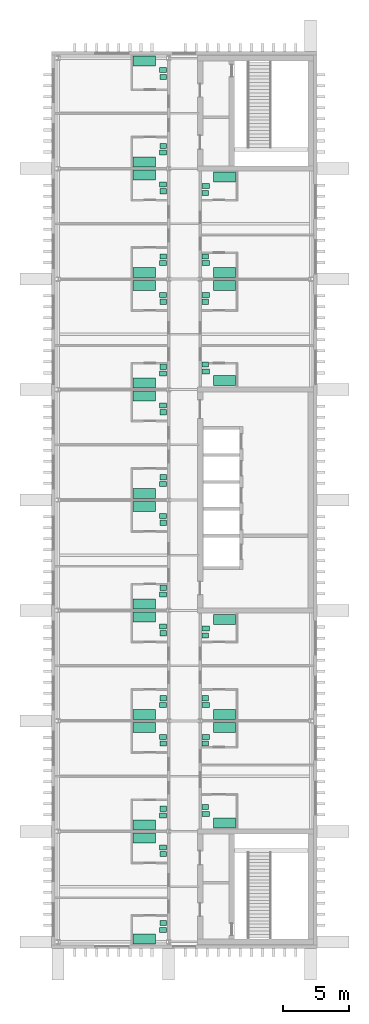
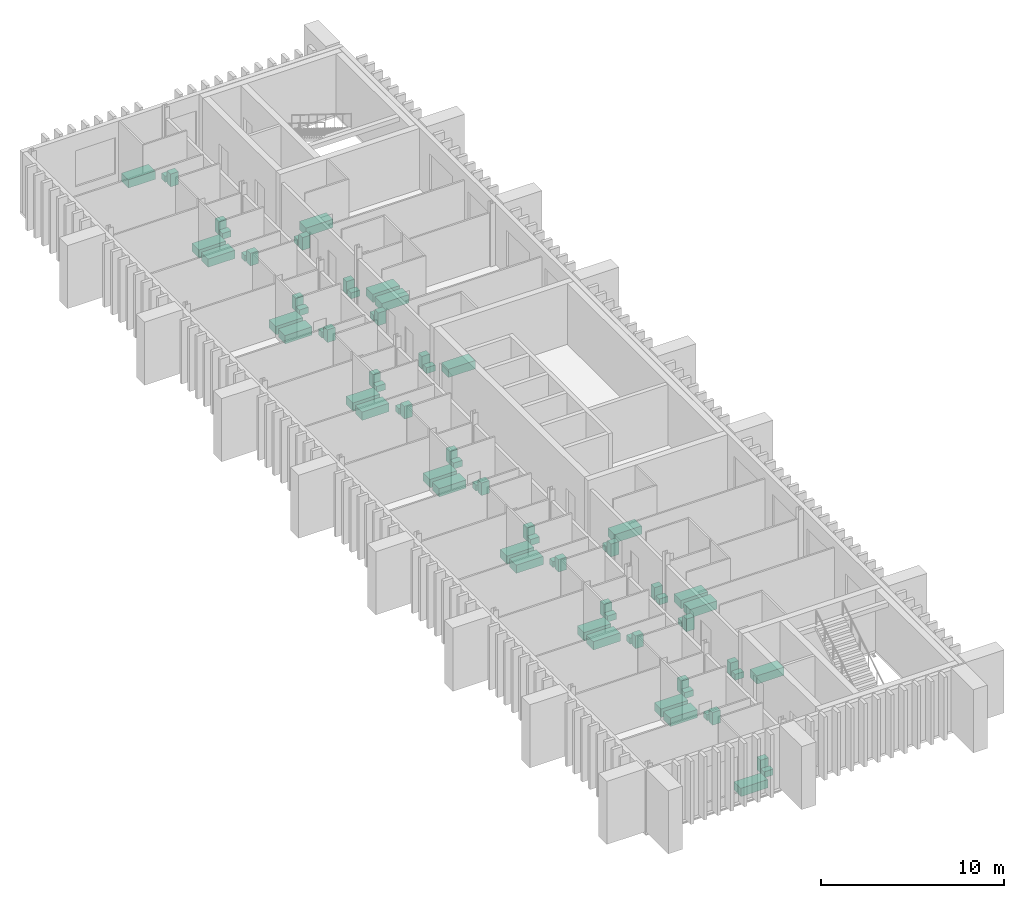
# One storey, part 11 of 11: 72 sanitary terminals.
"""IFC4 building model written with IfcOpenShell, lengths in metres."""

from ifc_helpers import new_model, si_unit, direction, frame, origin, origin_2d, place, context, subcontext, project, spatial, rectangle, extrude, material, type_object, element, save


model = new_model("IFC4")

# Units and contexts
model_context = context("Model", 3, precision=1e-05, world=origin(), true_north=direction((0.0, 1.0)))
body_context = subcontext(model_context, "Body", "Model", "MODEL_VIEW")
ifc_project = project(units=[si_unit("LENGTHUNIT", "METRE"), si_unit("AREAUNIT", "SQUARE_METRE"), si_unit("VOLUMEUNIT", "CUBIC_METRE"), si_unit("PLANEANGLEUNIT", "RADIAN"), si_unit("MASSUNIT", "GRAM", prefix="KILO")], contexts=[model_context])

# Site, building, storey
site_placement = place(None, origin())
site = spatial("IfcSite", under=ifc_project, at=site_placement, CompositionType="ELEMENT")
building_placement = place(site_placement, origin())
building = spatial("IfcBuilding", under=site, at=building_placement, Name="Cresset Court Congress Hotel", CompositionType="ELEMENT")
storey_placement = place(building_placement, frame((0.0, 0.0, 60.60009765625)))
storey = spatial("IfcBuildingStorey", under=building, at=storey_placement, Name="L14", CompositionType="ELEMENT", Elevation=60.60009765625)

# Sanitary terminals
ifc_material_1 = material(Name="Acrylic")
sanitary_terminal_type_1 = type_object("IfcSanitaryTerminalType", Name="Bath 1700x750", PredefinedType="BATH", material=ifc_material_1)
for number, where, z_axis, x_axis, name in (
    (1, (163.75, 0.205078125, 0.0), (0.0, 0.0, 1.0), (1.0, 0.0, 0.0), "Bath 1700x750 1401"),
    (2, (163.75, 7.89990234375, 0.0), (0.0, 0.0, 1.0), (1.0, 0.0, 0.0), "Bath 1700x750 1402"),
    (3, (163.75, 8.89990234375, 0.0), (0.0, 0.0, 1.0), (1.0, 0.0, 0.0), "Bath 1700x750 1403"),
    (4, (163.75, 16.300048828125, 0.0), (0.0, 0.0, 1.0), (1.0, 0.0, 0.0), "Bath 1700x750 1404"),
    (5, (163.75, 17.300048828125, 0.0), (0.0, 0.0, 1.0), (1.0, 0.0, 0.0), "Bath 1700x750 1405"),
    (6, (163.75, 24.699951171875, 0.0), (0.0, 0.0, 1.0), (1.0, 0.0, 0.0), "Bath 1700x750 1406"),
    (7, (163.75, 25.699951171875, 0.0), (0.0, 0.0, 1.0), (1.0, 0.0, 0.0), "Bath 1700x750 1407"),
    (8, (163.75, 33.10009765625, 0.0), (0.0, 0.0, 1.0), (1.0, 0.0, 0.0), "Bath 1700x750 1408"),
    (9, (163.75, 34.10009765625, 0.0), (0.0, 0.0, 1.0), (1.0, 0.0, 0.0), "Bath 1700x750 1409"),
    (10, (163.75, 41.5, 0.0), (0.0, 0.0, 1.0), (1.0, 0.0, 0.0), "Bath 1700x750 1410"),
    (11, (163.75, 42.5, 0.0), (0.0, 0.0, 1.0), (1.0, 0.0, 0.0), "Bath 1700x750 1411"),
    (12, (163.75, 49.89990234375, 0.0), (0.0, 0.0, 1.0), (1.0, 0.0, 0.0), "Bath 1700x750 1412"),
    (13, (163.75, 50.89990234375, 0.0), (0.0, 0.0, 1.0), (1.0, 0.0, 0.0), "Bath 1700x750 1413"),
    (14, (163.75, 58.300048828125, 0.0), (0.0, 0.0, 1.0), (1.0, 0.0, 0.0), "Bath 1700x750 1414"),
    (15, (163.75, 59.300048828125, 0.0), (0.0, 0.0, 1.0), (1.0, 0.0, 0.0), "Bath 1700x750 1415"),
    (16, (163.75, 66.9951171875, 0.0), (0.0, 0.0, 1.0), (1.0, 0.0, 0.0), "Bath 1700x750 1416"),
    (17, (169.85009765625, 9.02490234375, 0.0), (0.0, 0.0, 1.0), (1.0, 0.0, 0.0), "Bath 1700x750 1417"),
    (18, (169.85009765625, 16.300048828125, 0.0), (0.0, 0.0, 1.0), (1.0, 0.0, 0.0), "Bath 1700x750 1418"),
    (19, (169.85009765625, 17.300048828125, 0.0), (0.0, 0.0, 1.0), (1.0, 0.0, 0.0), "Bath 1700x750 1419"),
    (20, (169.85009765625, 24.52490234375, 0.0), (0.0, 0.0, 1.0), (1.0, 0.0, 0.0), "Bath 1700x750 1420"),
    (21, (169.85009765625, 42.675048828125, 0.0), (0.0, 0.0, 1.0), (1.0, 0.0, 0.0), "Bath 1700x750 1421"),
    (22, (169.85009765625, 49.89990234375, 0.0), (0.0, 0.0, 1.0), (1.0, 0.0, 0.0), "Bath 1700x750 1422"),
    (23, (169.85009765625, 50.89990234375, 0.0), (0.0, 0.0, 1.0), (1.0, 0.0, 0.0), "Bath 1700x750 1423"),
    (24, (169.85009765625, 58.175048828125, 0.0), (0.0, 0.0, 1.0), (1.0, 0.0, 0.0), "Bath 1700x750 1424"),
):
    element("IfcSanitaryTerminal", number, at=place(storey_placement, frame(where, z_axis=z_axis, x_axis=x_axis)), inside=storey, type_object=sanitary_terminal_type_1, Name=name, PredefinedType="BATH", context=body_context, shape_type="SweptSolid", body=[
        extrude(rectangle(XDim=1.699951171875, YDim=0.75, at=origin_2d()), origin(), (0.0, 0.0, 1.0), 0.550048828125),
    ])
ifc_material_2 = material(Name="Vitreous china")
sanitary_terminal_type_2 = type_object("IfcSanitaryTerminalType", Name="Toilet pan 550x380", PredefinedType="TOILETPAN", material=ifc_material_2)
for number, where, z_axis, x_axis, name in (
    (25, (165.175048828125, 0.919921875, 0.0), (0.0, 0.0, 1.0), (1.0, 0.0, 0.0), "Toilet pan 550x380 1401"),
    (26, (165.175048828125, 7.18505859375, 0.0), (0.0, 0.0, 1.0), (1.0, 0.0, 0.0), "Toilet pan 550x380 1402"),
    (27, (165.175048828125, 9.614990234375, 0.0), (0.0, 0.0, 1.0), (1.0, 0.0, 0.0), "Toilet pan 550x380 1403"),
    (28, (165.175048828125, 15.5849609375, 0.0), (0.0, 0.0, 1.0), (1.0, 0.0, 0.0), "Toilet pan 550x380 1404"),
    (29, (165.175048828125, 18.014892578125, 0.0), (0.0, 0.0, 1.0), (1.0, 0.0, 0.0), "Toilet pan 550x380 1405"),
    (30, (165.175048828125, 23.985107421875, 0.0), (0.0, 0.0, 1.0), (1.0, 0.0, 0.0), "Toilet pan 550x380 1406"),
    (31, (165.175048828125, 26.4150390625, 0.0), (0.0, 0.0, 1.0), (1.0, 0.0, 0.0), "Toilet pan 550x380 1407"),
    (32, (165.175048828125, 32.385009765625, 0.0), (0.0, 0.0, 1.0), (1.0, 0.0, 0.0), "Toilet pan 550x380 1408"),
    (33, (165.175048828125, 34.81494140625, 0.0), (0.0, 0.0, 1.0), (1.0, 0.0, 0.0), "Toilet pan 550x380 1409"),
    (34, (165.175048828125, 40.784912109375, 0.0), (0.0, 0.0, 1.0), (1.0, 0.0, 0.0), "Toilet pan 550x380 1410"),
    (35, (165.175048828125, 43.215087890625, 0.0), (0.0, 0.0, 1.0), (1.0, 0.0, 0.0), "Toilet pan 550x380 1411"),
    (36, (165.175048828125, 49.18505859375, 0.0), (0.0, 0.0, 1.0), (1.0, 0.0, 0.0), "Toilet pan 550x380 1412"),
    (37, (165.175048828125, 51.614990234375, 0.0), (0.0, 0.0, 1.0), (1.0, 0.0, 0.0), "Toilet pan 550x380 1413"),
    (38, (165.175048828125, 57.5849609375, 0.0), (0.0, 0.0, 1.0), (1.0, 0.0, 0.0), "Toilet pan 550x380 1414"),
    (39, (165.175048828125, 60.014892578125, 0.0), (0.0, 0.0, 1.0), (1.0, 0.0, 0.0), "Toilet pan 550x380 1415"),
    (40, (165.175048828125, 66.280029296875, 0.0), (0.0, 0.0, 1.0), (1.0, 0.0, 0.0), "Toilet pan 550x380 1416"),
    (41, (168.425048828125, 9.739990234375, 0.0), (0.0, 0.0, 1.0), (1.0, 0.0, 0.0), "Toilet pan 550x380 1417"),
    (42, (168.425048828125, 15.5849609375, 0.0), (0.0, 0.0, 1.0), (1.0, 0.0, 0.0), "Toilet pan 550x380 1418"),
    (43, (168.425048828125, 18.014892578125, 0.0), (0.0, 0.0, 1.0), (1.0, 0.0, 0.0), "Toilet pan 550x380 1419"),
    (44, (168.425048828125, 23.81005859375, 0.0), (0.0, 0.0, 1.0), (1.0, 0.0, 0.0), "Toilet pan 550x380 1420"),
    (45, (168.425048828125, 43.389892578125, 0.0), (0.0, 0.0, 1.0), (1.0, 0.0, 0.0), "Toilet pan 550x380 1421"),
    (46, (168.425048828125, 49.18505859375, 0.0), (0.0, 0.0, 1.0), (1.0, 0.0, 0.0), "Toilet pan 550x380 1422"),
    (47, (168.425048828125, 51.614990234375, 0.0), (0.0, 0.0, 1.0), (1.0, 0.0, 0.0), "Toilet pan 550x380 1423"),
    (48, (168.425048828125, 57.4599609375, 0.0), (0.0, 0.0, 1.0), (1.0, 0.0, 0.0), "Toilet pan 550x380 1424"),
):
    element("IfcSanitaryTerminal", number, at=place(storey_placement, frame(where, z_axis=z_axis, x_axis=x_axis)), inside=storey, type_object=sanitary_terminal_type_2, Name=name, PredefinedType="TOILETPAN", context=body_context, shape_type="SweptSolid", body=[
        extrude(rectangle(XDim=0.550048828125, YDim=0.3798828125, at=origin_2d()), origin(), (0.0, 0.0, 1.0), 0.39990234375),
    ])
ifc_material_3 = material(Name="Vitreous china")
sanitary_terminal_type_3 = type_object("IfcSanitaryTerminalType", Name="Wash basin 500x400", PredefinedType="WASHHANDBASIN", material=ifc_material_3)
for number, where, z_axis, x_axis, name in (
    (49, (165.199951171875, 1.429931640625, -0.000244140625), (0.0, 0.0, 1.0), (1.0, 0.0, 0.0), "Wash basin 500x400 1401"),
    (50, (165.199951171875, 6.675048828125, -0.000244140625), (0.0, 0.0, 1.0), (1.0, 0.0, 0.0), "Wash basin 500x400 1402"),
    (51, (165.199951171875, 10.125, -0.000244140625), (0.0, 0.0, 1.0), (1.0, 0.0, 0.0), "Wash basin 500x400 1403"),
    (52, (165.199951171875, 15.074951171875, -0.000244140625), (0.0, 0.0, 1.0), (1.0, 0.0, 0.0), "Wash basin 500x400 1404"),
    (53, (165.199951171875, 18.52490234375, -0.000244140625), (0.0, 0.0, 1.0), (1.0, 0.0, 0.0), "Wash basin 500x400 1405"),
    (54, (165.199951171875, 23.47509765625, -0.000244140625), (0.0, 0.0, 1.0), (1.0, 0.0, 0.0), "Wash basin 500x400 1406"),
    (55, (165.199951171875, 26.925048828125, -0.000244140625), (0.0, 0.0, 1.0), (1.0, 0.0, 0.0), "Wash basin 500x400 1407"),
    (56, (165.199951171875, 31.875, -0.000244140625), (0.0, 0.0, 1.0), (1.0, 0.0, 0.0), "Wash basin 500x400 1408"),
    (57, (165.199951171875, 35.324951171875, -0.000244140625), (0.0, 0.0, 1.0), (1.0, 0.0, 0.0), "Wash basin 500x400 1409"),
    (58, (165.199951171875, 40.27490234375, -0.000244140625), (0.0, 0.0, 1.0), (1.0, 0.0, 0.0), "Wash basin 500x400 1410"),
    (59, (165.199951171875, 43.72509765625, -0.000244140625), (0.0, 0.0, 1.0), (1.0, 0.0, 0.0), "Wash basin 500x400 1411"),
    (60, (165.199951171875, 48.675048828125, -0.000244140625), (0.0, 0.0, 1.0), (1.0, 0.0, 0.0), "Wash basin 500x400 1412"),
    (61, (165.199951171875, 52.125, -0.000244140625), (0.0, 0.0, 1.0), (1.0, 0.0, 0.0), "Wash basin 500x400 1413"),
    (62, (165.199951171875, 57.074951171875, -0.000244140625), (0.0, 0.0, 1.0), (1.0, 0.0, 0.0), "Wash basin 500x400 1414"),
    (63, (165.199951171875, 60.52490234375, -0.000244140625), (0.0, 0.0, 1.0), (1.0, 0.0, 0.0), "Wash basin 500x400 1415"),
    (64, (165.199951171875, 65.77001953125, -0.000244140625), (0.0, 0.0, 1.0), (1.0, 0.0, 0.0), "Wash basin 500x400 1416"),
    (65, (168.39990234375, 10.25, -0.000244140625), (0.0, 0.0, 1.0), (1.0, 0.0, 0.0), "Wash basin 500x400 1417"),
    (66, (168.39990234375, 15.074951171875, -0.000244140625), (0.0, 0.0, 1.0), (1.0, 0.0, 0.0), "Wash basin 500x400 1418"),
    (67, (168.39990234375, 18.52490234375, -0.000244140625), (0.0, 0.0, 1.0), (1.0, 0.0, 0.0), "Wash basin 500x400 1419"),
    (68, (168.39990234375, 23.300048828125, -0.000244140625), (0.0, 0.0, 1.0), (1.0, 0.0, 0.0), "Wash basin 500x400 1420"),
    (69, (168.39990234375, 43.89990234375, -0.000244140625), (0.0, 0.0, 1.0), (1.0, 0.0, 0.0), "Wash basin 500x400 1421"),
    (70, (168.39990234375, 48.675048828125, -0.000244140625), (0.0, 0.0, 1.0), (1.0, 0.0, 0.0), "Wash basin 500x400 1422"),
    (71, (168.39990234375, 52.125, -0.000244140625), (0.0, 0.0, 1.0), (1.0, 0.0, 0.0), "Wash basin 500x400 1423"),
    (72, (168.39990234375, 56.949951171875, -0.000244140625), (0.0, 0.0, 1.0), (1.0, 0.0, 0.0), "Wash basin 500x400 1424"),
):
    element("IfcSanitaryTerminal", number, at=place(storey_placement, frame(where, z_axis=z_axis, x_axis=x_axis)), inside=storey, type_object=sanitary_terminal_type_3, Name=name, PredefinedType="WASHHANDBASIN", context=body_context, shape_type="SweptSolid", body=[
        extrude(rectangle(XDim=0.5, YDim=0.39990234375, at=origin_2d()), origin(), (0.0, 0.0, 1.0), 0.85009765625),
    ])

save(model, "model.ifc")
